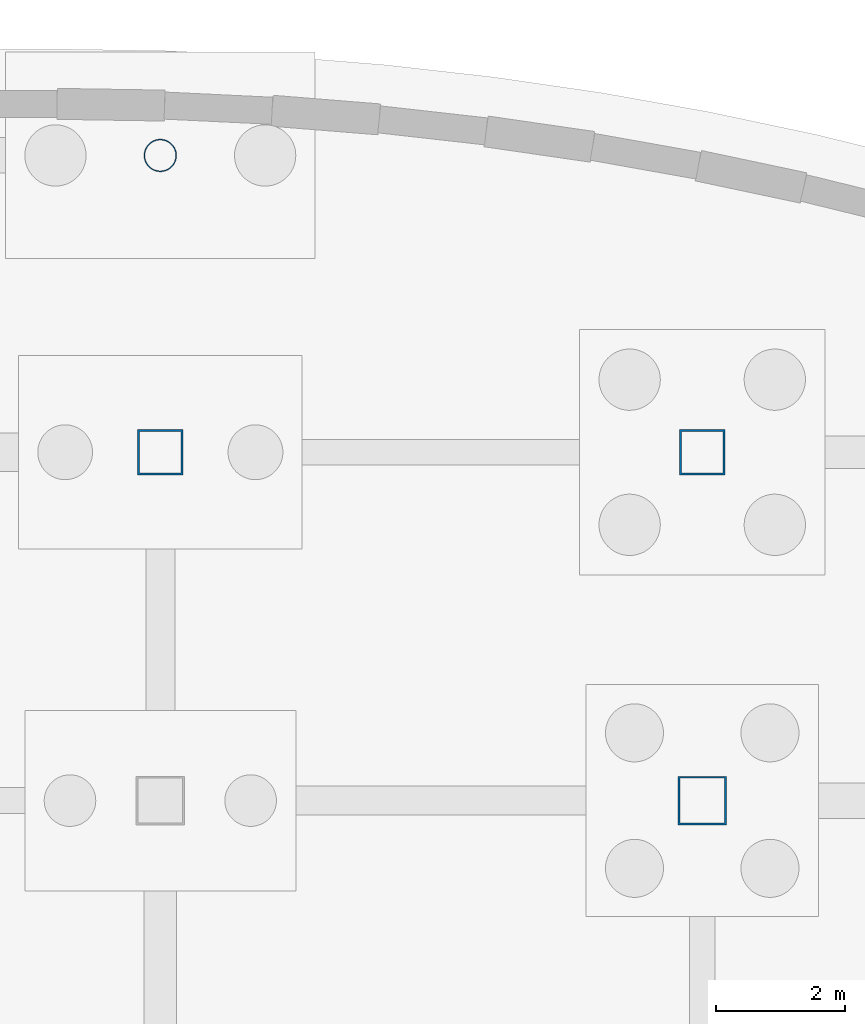
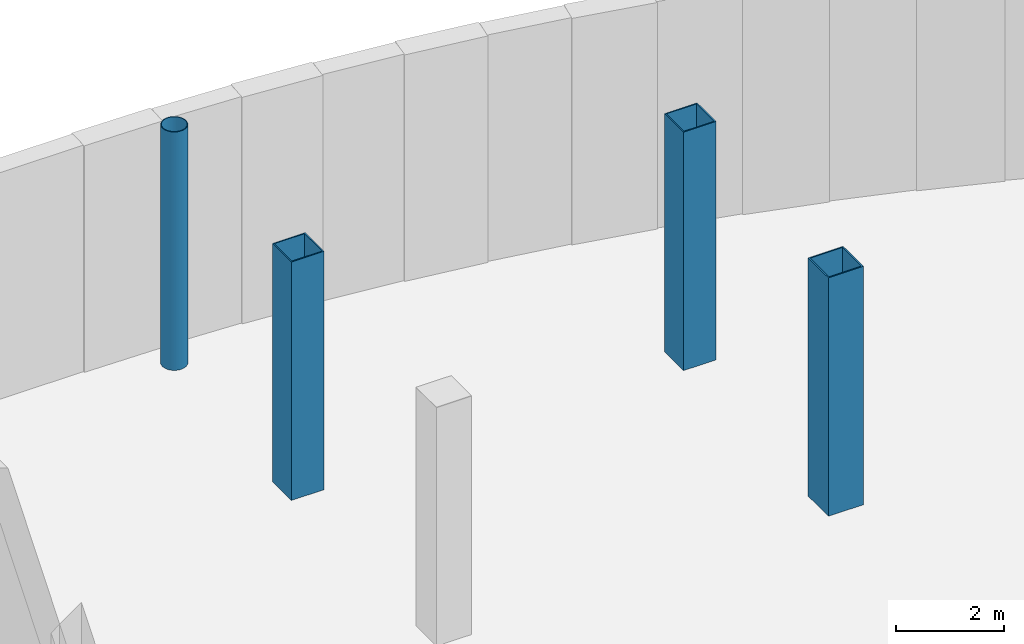
# One storey, part 17 of 49: 4 columns.
"""IFC4 building model written with IfcOpenShell, lengths in metres."""

from ifc_helpers import new_model, si_unit, direction, frame, origin, origin_2d, place, context, subcontext, project, spatial, hollow_rectangle, hollow_circle, extrude, material, material_profile, profile_set, type_object, element, save


model = new_model("IFC4")

# Units and contexts
model_context = context("Model", 3, precision=1e-05, world=origin(), true_north=direction((0.0, 1.0)))
body_context = subcontext(model_context, "Body", "Model", "MODEL_VIEW")
ifc_project = project(units=[si_unit("LENGTHUNIT", "METRE"), si_unit("AREAUNIT", "SQUARE_METRE"), si_unit("VOLUMEUNIT", "CUBIC_METRE"), si_unit("PLANEANGLEUNIT", "RADIAN"), si_unit("MASSUNIT", "GRAM", prefix="KILO"), si_unit("THERMODYNAMICTEMPERATUREUNIT", "KELVIN")], contexts=[model_context])

# Site, building, storey
site_placement = place(None, origin())
site = spatial("IfcSite", under=ifc_project, at=site_placement, CompositionType="ELEMENT")
building_placement = place(site_placement, origin())
building = spatial("IfcBuilding", under=site, at=building_placement, Name="Lustrewick Department Store", CompositionType="ELEMENT")
storey_placement = place(building_placement, frame((0.0, 0.0, -5.39990234375)))
storey = spatial("IfcBuildingStorey", under=building, at=storey_placement, Name="B1", CompositionType="ELEMENT", Elevation=-5.39990234375)

# Columns
ifc_material = material(Name="Structural steel Q355C", Category="steel")
ifc_material_profile_1 = material_profile(ifc_material, hollow_rectangle(XDim=0.75, YDim=0.75, WallThickness=0.028076171875, at=origin_2d()), Name="BOX 750x750x28")
ifc_profile_set_1 = profile_set([ifc_material_profile_1], Name="Structural steel Q355C")
column_type_1 = type_object("IfcColumnType", Name="C01", PredefinedType="COLUMN", material=ifc_profile_set_1)
column_1_placement = place(storey_placement, frame((126.0, 100.800048828125, 0.0), z_axis=(0.0, 0.0, 1.0), x_axis=(1.0, 0.0, 0.0)))
element("IfcColumn", 1, at=column_1_placement, inside=storey, type_object=column_type_1, Name="B1 V4 Column C01", PredefinedType="COLUMN", context=body_context, shape_type="SweptSolid", body=[
    extrude(hollow_rectangle(XDim=0.75, YDim=0.75, WallThickness=0.028076171875, at=origin_2d()), origin(), (0.0, 0.0, 1.0), 5.39990234375),
])
ifc_material_profile_2 = material_profile(ifc_material, hollow_rectangle(XDim=0.699951171875, YDim=0.699951171875, WallThickness=0.02587890625, at=origin_2d()), Name="BOX 700x700x26")
ifc_profile_set_2 = profile_set([ifc_material_profile_2], Name="Structural steel Q355C")
column_type_2 = type_object("IfcColumnType", Name="C02", PredefinedType="COLUMN", material=ifc_profile_set_2)
for number, where, z_axis, x_axis, name in (
    (2, (117.60009765625, 106.199951171875, 0.0), (0.0, 0.0, 1.0), (1.0, 0.0, 0.0), "B1 V4 Column C02"),
    (3, (126.0, 106.199951171875, 0.0), (0.0, 0.0, 1.0), (1.0, 0.0, 0.0), "B1 V4 Column C02"),
):
    element("IfcColumn", number, at=place(storey_placement, frame(where, z_axis=z_axis, x_axis=x_axis)), inside=storey, type_object=column_type_2, Name=name, PredefinedType="COLUMN", context=body_context, shape_type="SweptSolid", body=[
        extrude(hollow_rectangle(XDim=0.699951171875, YDim=0.699951171875, WallThickness=0.02587890625, at=origin_2d()), origin(), (0.0, 0.0, 1.0), 5.39990234375),
    ])
ifc_material_profile_3 = material_profile(ifc_material, hollow_circle(Radius=0.25390625, WallThickness=0.01611328125, at=origin_2d()), Name="CHS 508x16")
ifc_profile_set_3 = profile_set([ifc_material_profile_3], Name="Structural steel Q355C")
column_type_3 = type_object("IfcColumnType", Name="CE01", PredefinedType="COLUMN", material=ifc_profile_set_3)
column_2_placement = place(storey_placement, frame((117.60009765625, 110.800048828125, 0.0), z_axis=(0.0, 0.0, 1.0), x_axis=(1.0, 0.0, 0.0)))
element("IfcColumn", 4, at=column_2_placement, inside=storey, type_object=column_type_3, Name="B1 V4 Column CE01", PredefinedType="COLUMN", context=body_context, shape_type="SweptSolid", body=[
    extrude(hollow_circle(Radius=0.25390625, WallThickness=0.01611328125, at=origin_2d()), origin(), (0.0, 0.0, 1.0), 5.39990234375),
])

save(model, "model.ifc")
